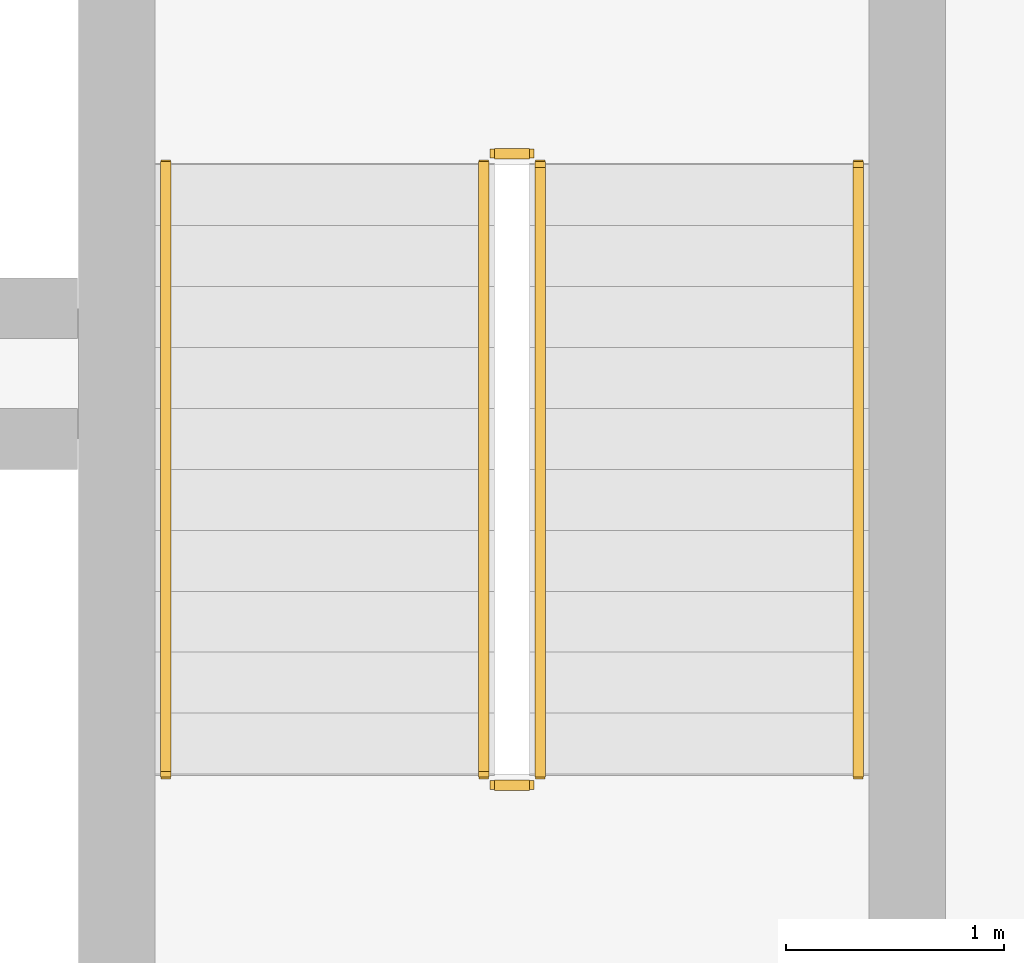
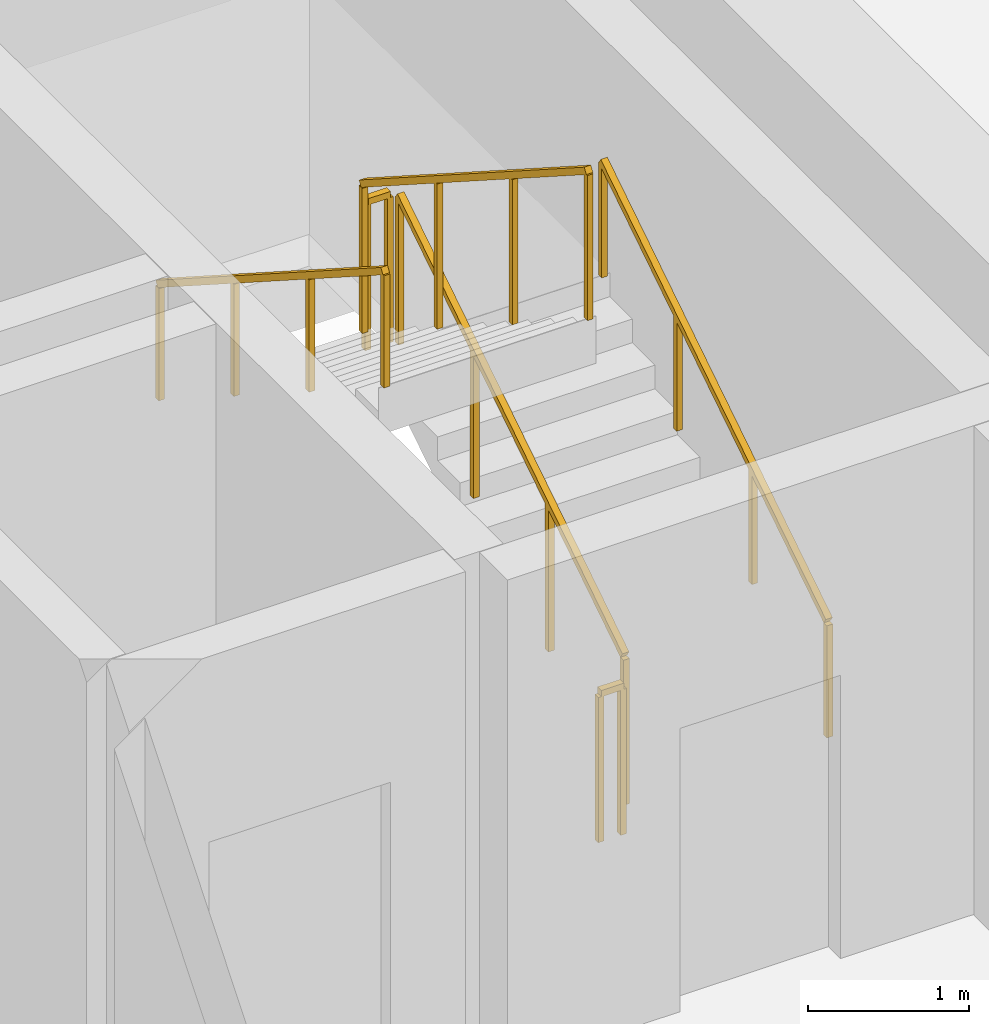
# One storey, part 10 of 10: 6 railings.
"""IFC4 building model written with IfcOpenShell, lengths in metres."""

from ifc_helpers import new_model, si_unit, direction, frame, origin, origin_2d, place, context, subcontext, project, spatial, rectangle, extrude, material, type_object, element, save


model = new_model("IFC4")

# Units and contexts
model_context = context("Model", 3, precision=1e-05, world=origin(), true_north=direction((0.0, 1.0)))
body_context = subcontext(model_context, "Body", "Model", "MODEL_VIEW")
ifc_project = project(units=[si_unit("LENGTHUNIT", "METRE"), si_unit("AREAUNIT", "SQUARE_METRE"), si_unit("VOLUMEUNIT", "CUBIC_METRE"), si_unit("PLANEANGLEUNIT", "RADIAN"), si_unit("MASSUNIT", "GRAM", prefix="KILO")], contexts=[model_context])

# Site, building, storey
site_placement = place(None, origin())
site = spatial("IfcSite", under=ifc_project, at=site_placement, CompositionType="ELEMENT")
building_placement = place(site_placement, origin())
building = spatial("IfcBuilding", under=site, at=building_placement, Name="Kaelvorn Grand Hotel", CompositionType="ELEMENT")
storey_placement = place(building_placement, frame((0.0, 0.0, 264.699951171875)))
storey = spatial("IfcBuildingStorey", under=building, at=storey_placement, Name="L65", CompositionType="ELEMENT", Elevation=264.699951171875)

# Railings
ifc_material = material(Name="Stainless Steel", Category="steel")
railing_type_1 = type_object("IfcRailingType", Name="RL-HANDRAIL-900", PredefinedType="HANDRAIL", material=ifc_material)
railing_1_placement = place(storey_placement, frame((66.550048828125, 41.760009765625, 0.1796875)))
element("IfcRailing", 1, at=railing_1_placement, inside=storey, type_object=railing_type_1, Name="L65 ST3 stair handrail 1", PredefinedType="HANDRAIL", context=body_context, shape_type="SweptSolid", body=[
    extrude(rectangle(XDim=0.048095703125, YDim=0.048095703125, at=origin_2d()), frame((0.0, 0.0, 0.8759765625), z_axis=(0.0, 0.841809871826, 0.539774156196), x_axis=(-1.0, 0.0, 0.0)), (0.0, 0.0, 1.0), 3.326171875),
    extrude(rectangle(XDim=0.0419921875, YDim=0.0419921875, at=origin_2d()), origin(), (0.0, 0.0, 1.0), 0.851806640625),
    extrude(rectangle(XDim=0.0419921875, YDim=0.0419921875, at=origin_2d()), frame((0.0, 0.933349609375, 0.598388671875)), (0.0, 0.0, 1.0), 0.851806640625),
    extrude(rectangle(XDim=0.0419921875, YDim=0.0419921875, at=origin_2d()), frame((0.0, 1.86669921875, 1.197021484375)), (0.0, 0.0, 1.0), 0.851806640625),
    extrude(rectangle(XDim=0.0419921875, YDim=0.0419921875, at=origin_2d()), frame((0.0, 2.800048828125, 1.79541015625)), (0.0, 0.0, 1.0), 0.851806640625),
])
railing_2_placement = place(storey_placement, frame((63.3701171875, 44.56005859375, 2.154541015625)))
element("IfcRailing", 2, at=railing_2_placement, inside=storey, type_object=railing_type_1, Name="L65 ST3 stair handrail 2", PredefinedType="HANDRAIL", context=body_context, shape_type="SweptSolid", body=[
    extrude(rectangle(XDim=0.048095703125, YDim=0.048095703125, at=origin_2d()), frame((0.0, 0.0, 0.8759765625), z_axis=(0.0, -0.841809871826, 0.539774156196), x_axis=(1.0, 0.0, 0.0)), (0.0, 0.0, 1.0), 3.326171875),
    extrude(rectangle(XDim=0.0419921875, YDim=0.0419921875, at=origin_2d()), origin(), (0.0, 0.0, 1.0), 0.851806640625),
    extrude(rectangle(XDim=0.0419921875, YDim=0.0419921875, at=origin_2d()), frame((0.0, -0.933349609375, 0.598388671875)), (0.0, 0.0, 1.0), 0.851806640625),
    extrude(rectangle(XDim=0.0419921875, YDim=0.0419921875, at=origin_2d()), frame((0.0, -1.86669921875, 1.197021484375)), (0.0, 0.0, 1.0), 0.851806640625),
    extrude(rectangle(XDim=0.0419921875, YDim=0.0419921875, at=origin_2d()), frame((0.0, -2.800048828125, 1.79541015625)), (0.0, 0.0, 1.0), 0.851806640625),
])
railing_type_2 = type_object("IfcRailingType", Name="RL-STAIR-GUARD-1150", PredefinedType="BALUSTRADE", material=ifc_material)
railing_3_placement = place(storey_placement, frame((65.090087890625, 41.760009765625, 0.1796875)))
element("IfcRailing", 3, at=railing_3_placement, inside=storey, type_object=railing_type_2, Name="L65 ST3 stair guard 1", PredefinedType="BALUSTRADE", context=body_context, shape_type="SweptSolid", body=[
    extrude(rectangle(XDim=0.048095703125, YDim=0.048095703125, at=origin_2d()), frame((0.0, 0.0, 1.1259765625), z_axis=(0.0, 0.841809871826, 0.539774156196), x_axis=(-1.0, 0.0, 0.0)), (0.0, 0.0, 1.0), 3.326171875),
    extrude(rectangle(XDim=0.0419921875, YDim=0.0419921875, at=origin_2d()), origin(), (0.0, 0.0, 1.0), 1.101806640625),
    extrude(rectangle(XDim=0.0419921875, YDim=0.0419921875, at=origin_2d()), frame((0.0, 0.933349609375, 0.598388671875)), (0.0, 0.0, 1.0), 1.101806640625),
    extrude(rectangle(XDim=0.0419921875, YDim=0.0419921875, at=origin_2d()), frame((0.0, 1.86669921875, 1.197021484375)), (0.0, 0.0, 1.0), 1.101806640625),
    extrude(rectangle(XDim=0.0419921875, YDim=0.0419921875, at=origin_2d()), frame((0.0, 2.800048828125, 1.79541015625)), (0.0, 0.0, 1.0), 1.101806640625),
])
railing_4_placement = place(storey_placement, frame((65.0400390625, 44.610107421875, 1.97509765625)))
element("IfcRailing", 4, at=railing_4_placement, inside=storey, type_object=railing_type_2, Name="L65 ST3 stair guard 2", PredefinedType="BALUSTRADE", context=body_context, shape_type="SweptSolid", body=[
    extrude(rectangle(XDim=0.048095703125, YDim=0.048095703125, at=origin_2d()), frame((0.0, 0.0, 1.1259765625), z_axis=(-1.0, 0.0, 0.0), x_axis=(0.0, -1.0, 0.0)), (0.0, 0.0, 1.0), 0.16015625),
    extrude(rectangle(XDim=0.0419921875, YDim=0.0419921875, at=origin_2d()), origin(), (0.0, 0.0, 1.0), 1.101806640625),
    extrude(rectangle(XDim=0.0419921875, YDim=0.0419921875, at=origin_2d()), frame((-0.16015625, 0.0, 0.0)), (0.0, 0.0, 1.0), 1.101806640625),
])
railing_5_placement = place(storey_placement, frame((64.830078125, 44.56005859375, 2.154541015625)))
element("IfcRailing", 5, at=railing_5_placement, inside=storey, type_object=railing_type_2, Name="L65 ST3 stair guard 3", PredefinedType="BALUSTRADE", context=body_context, shape_type="SweptSolid", body=[
    extrude(rectangle(XDim=0.048095703125, YDim=0.048095703125, at=origin_2d()), frame((0.0, 0.0, 1.1259765625), z_axis=(0.0, -0.841809871826, 0.539774156196), x_axis=(1.0, 0.0, 0.0)), (0.0, 0.0, 1.0), 3.326171875),
    extrude(rectangle(XDim=0.0419921875, YDim=0.0419921875, at=origin_2d()), origin(), (0.0, 0.0, 1.0), 1.101806640625),
    extrude(rectangle(XDim=0.0419921875, YDim=0.0419921875, at=origin_2d()), frame((0.0, -0.933349609375, 0.598388671875)), (0.0, 0.0, 1.0), 1.101806640625),
    extrude(rectangle(XDim=0.0419921875, YDim=0.0419921875, at=origin_2d()), frame((0.0, -1.86669921875, 1.197021484375)), (0.0, 0.0, 1.0), 1.101806640625),
    extrude(rectangle(XDim=0.0419921875, YDim=0.0419921875, at=origin_2d()), frame((0.0, -2.800048828125, 1.79541015625)), (0.0, 0.0, 1.0), 1.101806640625),
])
railing_6_placement = place(storey_placement, frame((65.0400390625, 41.7099609375, 0.0)))
element("IfcRailing", 6, at=railing_6_placement, inside=storey, type_object=railing_type_2, Name="L65 ST3 stair guard 4", PredefinedType="BALUSTRADE", context=body_context, shape_type="SweptSolid", body=[
    extrude(rectangle(XDim=0.048095703125, YDim=0.048095703125, at=origin_2d()), frame((0.0, 0.0, 1.1259765625), z_axis=(-1.0, 0.0, 0.0), x_axis=(0.0, -1.0, 0.0)), (0.0, 0.0, 1.0), 0.16015625),
    extrude(rectangle(XDim=0.0419921875, YDim=0.0419921875, at=origin_2d()), origin(), (0.0, 0.0, 1.0), 1.101806640625),
    extrude(rectangle(XDim=0.0419921875, YDim=0.0419921875, at=origin_2d()), frame((-0.16015625, 0.0, 0.0)), (0.0, 0.0, 1.0), 1.101806640625),
])

save(model, "model.ifc")
